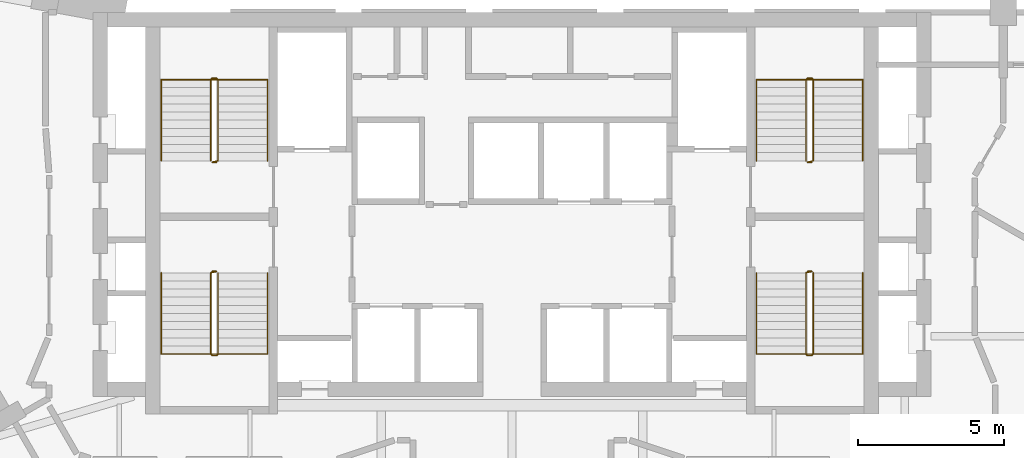
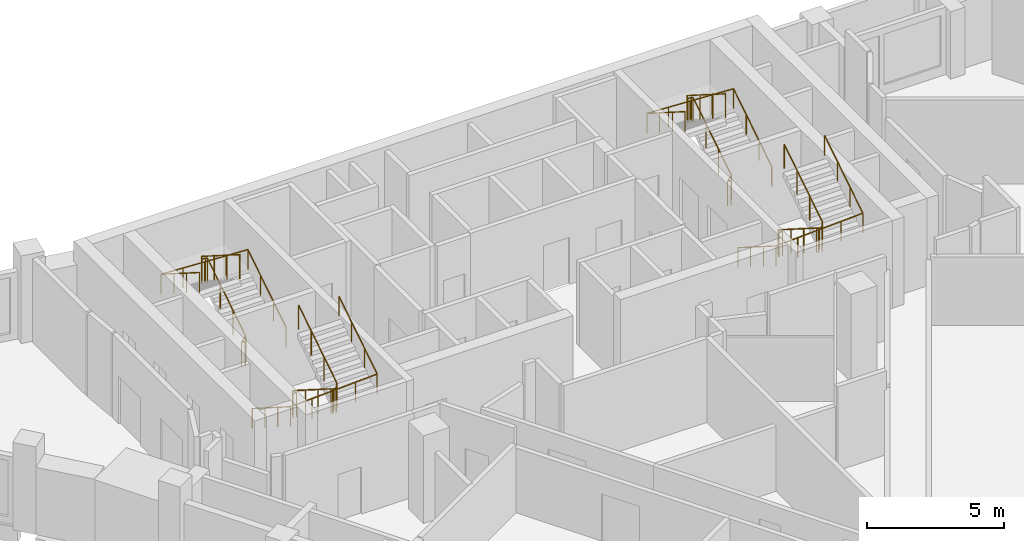
# One storey, part 9 of 9: 8 railings.
"""IFC4 building model written with IfcOpenShell, lengths in metres."""

from ifc_helpers import new_model, si_unit, direction, frame, origin, origin_2d, place, context, subcontext, project, spatial, circle, extrude, material, type_object, element, save


model = new_model("IFC4")

# Units and contexts
model_context = context("Model", 3, precision=1e-05, world=origin(), true_north=direction((0.0, 1.0)))
body_context = subcontext(model_context, "Body", "Model", "MODEL_VIEW")
ifc_project = project(units=[si_unit("LENGTHUNIT", "METRE"), si_unit("AREAUNIT", "SQUARE_METRE"), si_unit("VOLUMEUNIT", "CUBIC_METRE"), si_unit("PLANEANGLEUNIT", "RADIAN"), si_unit("MASSUNIT", "GRAM", prefix="KILO")], contexts=[model_context])

# Site, building, storey
site_placement = place(None, origin())
site = spatial("IfcSite", under=ifc_project, at=site_placement, CompositionType="ELEMENT")
building_placement = place(site_placement, origin())
building = spatial("IfcBuilding", under=site, at=building_placement, Name="Calabash Gate Tower", CompositionType="ELEMENT")
storey_placement = place(building_placement, frame((0.0, 0.0, 204.199951171875)))
storey = spatial("IfcBuildingStorey", under=building, at=storey_placement, Name="L48", CompositionType="ELEMENT", Elevation=204.199951171875)

# Railings
ifc_material_1 = material(Name="Black powder-coated steel balusters", Category="steel")
railing_type_1 = type_object("IfcRailingType", Name="Stair guard RL1100", PredefinedType="GUARDRAIL", material=ifc_material_1)
railing_1_placement = place(storey_placement, frame((-10.14990234375, 13.902587890625, 0.0)))
element("IfcRailing", 1, at=railing_1_placement, inside=storey, type_object=railing_type_1, Name="L48 ST1 stair guard 1", PredefinedType="GUARDRAIL", context=body_context, shape_type="SweptSolid", body=[
    extrude(circle(Radius=0.02392578125, at=origin_2d()), frame((0.0, 0.0, 1.076171875), z_axis=(-1.0, 0.0, 0.0), x_axis=(0.0, -1.0, 0.0)), (0.0, 0.0, 1.0), 0.150146484375),
    extrude(circle(Radius=0.02392578125, at=origin_2d()), frame((-0.150146484375, 0.0, 1.076171875), z_axis=(0.735524641326, 0.184105679453, 0.652003528208), x_axis=(-0.242814311512, 0.970072785993, 0.0)), (0.0, 0.0, 1.0), 0.271728515625),
    extrude(circle(Radius=0.02392578125, at=origin_2d()), frame((0.0498046875, 0.050048828125, 1.25341796875), z_axis=(0.0, 0.844041424197, 0.536277982245), x_axis=(-1.0, 0.0, 0.0)), (0.0, 0.0, 1.0), 3.3056640625),
    extrude(circle(Radius=0.02392578125, at=origin_2d()), frame((0.0498046875, 2.840087890625, 3.02587890625), z_axis=(-0.707106781187, 0.707106781187, 0.0), x_axis=(-0.707106781187, -0.707106781187, 0.0)), (0.0, 0.0, 1.0), 0.0703125),
    extrude(circle(Radius=0.02392578125, at=origin_2d()), frame((0.0, 2.889892578125, 3.02587890625), z_axis=(-1.0, 0.0, 0.0), x_axis=(0.0, -1.0, 0.0)), (0.0, 0.0, 1.0), 0.150146484375),
    extrude(circle(Radius=0.02392578125, at=origin_2d()), frame((-0.150146484375, 2.889892578125, 3.02587890625), z_axis=(-0.262009983441, -0.260731885961, 0.929176868105), x_axis=(0.705375805398, -0.708833529934, 0.0)), (0.0, 0.0, 1.0), 0.19091796875),
    extrude(circle(Radius=0.02392578125, at=origin_2d()), frame((-0.2001953125, 2.840087890625, 3.20361328125), z_axis=(0.0, -0.844041424197, 0.536277982245), x_axis=(1.0, 0.0, 0.0)), (0.0, 0.0, 1.0), 3.3056640625),
    extrude(circle(Radius=0.02099609375, at=origin_2d()), origin(), (0.0, 0.0, 1.0), 1.052001953125),
    extrude(circle(Radius=0.02099609375, at=origin_2d()), frame((-0.150146484375, 0.0, 0.0)), (0.0, 0.0, 1.0), 1.052001953125),
    extrude(circle(Radius=0.02099609375, at=origin_2d()), frame((0.0498046875, 0.050048828125, 0.17724609375)), (0.0, 0.0, 1.0), 1.052001953125),
    extrude(circle(Radius=0.02099609375, at=origin_2d()), frame((0.0498046875, 0.97998046875, 0.76806640625)), (0.0, 0.0, 1.0), 1.052001953125),
    extrude(circle(Radius=0.02099609375, at=origin_2d()), frame((0.0498046875, 1.91015625, 1.359130859375)), (0.0, 0.0, 1.0), 1.052001953125),
    extrude(circle(Radius=0.02099609375, at=origin_2d()), frame((0.0498046875, 2.840087890625, 1.949951171875)), (0.0, 0.0, 1.0), 1.052001953125),
    extrude(circle(Radius=0.02099609375, at=origin_2d()), frame((0.0, 2.889892578125, 1.949951171875)), (0.0, 0.0, 1.0), 1.052001953125),
    extrude(circle(Radius=0.02099609375, at=origin_2d()), frame((-0.150146484375, 2.889892578125, 1.949951171875)), (0.0, 0.0, 1.0), 1.052001953125),
    extrude(circle(Radius=0.02099609375, at=origin_2d()), frame((-0.2001953125, 2.840087890625, 2.12744140625)), (0.0, 0.0, 1.0), 1.052001953125),
    extrude(circle(Radius=0.02099609375, at=origin_2d()), frame((-0.2001953125, 1.91015625, 2.71826171875)), (0.0, 0.0, 1.0), 1.052001953125),
    extrude(circle(Radius=0.02099609375, at=origin_2d()), frame((-0.2001953125, 0.97998046875, 3.309326171875)), (0.0, 0.0, 1.0), 1.052001953125),
    extrude(circle(Radius=0.02099609375, at=origin_2d()), frame((-0.2001953125, 0.050048828125, 3.900146484375)), (0.0, 0.0, 1.0), 1.052001953125),
])
railing_2_placement = place(storey_placement, frame((-10.300048828125, 10.152587890625, 0.0)))
element("IfcRailing", 2, at=railing_2_placement, inside=storey, type_object=railing_type_1, Name="L48 ST2 stair guard 1", PredefinedType="GUARDRAIL", context=body_context, shape_type="SweptSolid", body=[
    extrude(circle(Radius=0.02392578125, at=origin_2d()), frame((0.0, 0.0, 1.076171875), z_axis=(1.0, 0.0, 0.0), x_axis=(0.0, 1.0, 0.0)), (0.0, 0.0, 1.0), 0.150146484375),
    extrude(circle(Radius=0.02392578125, at=origin_2d()), frame((0.150146484375, 0.0, 1.076171875), z_axis=(-0.735936453418, -0.183984113355, 0.651573006319), x_axis=(0.242535625036, -0.970142500145, 0.0)), (0.0, 0.0, 1.0), 0.27197265625),
    extrude(circle(Radius=0.02392578125, at=origin_2d()), frame((-0.050048828125, -0.050048828125, 1.25341796875), z_axis=(0.0, -0.844041424197, 0.536277982245), x_axis=(1.0, 0.0, 0.0)), (0.0, 0.0, 1.0), 3.3056640625),
    extrude(circle(Radius=0.02392578125, at=origin_2d()), frame((-0.050048828125, -2.840087890625, 3.02587890625), z_axis=(0.708833529934, -0.705375805398, 0.0), x_axis=(0.705375805398, 0.708833529934, 0.0)), (0.0, 0.0, 1.0), 0.070556640625),
    extrude(circle(Radius=0.02392578125, at=origin_2d()), frame((0.0, -2.889892578125, 3.02587890625), z_axis=(1.0, 0.0, 0.0), x_axis=(0.0, 1.0, 0.0)), (0.0, 0.0, 1.0), 0.150146484375),
    extrude(circle(Radius=0.02392578125, at=origin_2d()), frame((0.150146484375, -2.889892578125, 3.02587890625), z_axis=(0.26081902908, 0.26081902908, 0.92948742226), x_axis=(-0.707106781187, 0.707106781187, 0.0)), (0.0, 0.0, 1.0), 0.19091796875),
    extrude(circle(Radius=0.02392578125, at=origin_2d()), frame((0.199951171875, -2.840087890625, 3.20361328125), z_axis=(0.0, 0.844041424197, 0.536277982245), x_axis=(-1.0, 0.0, 0.0)), (0.0, 0.0, 1.0), 3.3056640625),
    extrude(circle(Radius=0.02099609375, at=origin_2d()), origin(), (0.0, 0.0, 1.0), 1.052001953125),
    extrude(circle(Radius=0.02099609375, at=origin_2d()), frame((0.150146484375, 0.0, 0.0)), (0.0, 0.0, 1.0), 1.052001953125),
    extrude(circle(Radius=0.02099609375, at=origin_2d()), frame((-0.050048828125, -0.050048828125, 0.17724609375)), (0.0, 0.0, 1.0), 1.052001953125),
    extrude(circle(Radius=0.02099609375, at=origin_2d()), frame((-0.050048828125, -0.97998046875, 0.76806640625)), (0.0, 0.0, 1.0), 1.052001953125),
    extrude(circle(Radius=0.02099609375, at=origin_2d()), frame((-0.050048828125, -1.91015625, 1.359130859375)), (0.0, 0.0, 1.0), 1.052001953125),
    extrude(circle(Radius=0.02099609375, at=origin_2d()), frame((-0.050048828125, -2.840087890625, 1.949951171875)), (0.0, 0.0, 1.0), 1.052001953125),
    extrude(circle(Radius=0.02099609375, at=origin_2d()), frame((0.0, -2.889892578125, 1.949951171875)), (0.0, 0.0, 1.0), 1.052001953125),
    extrude(circle(Radius=0.02099609375, at=origin_2d()), frame((0.150146484375, -2.889892578125, 1.949951171875)), (0.0, 0.0, 1.0), 1.052001953125),
    extrude(circle(Radius=0.02099609375, at=origin_2d()), frame((0.199951171875, -2.840087890625, 2.12744140625)), (0.0, 0.0, 1.0), 1.052001953125),
    extrude(circle(Radius=0.02099609375, at=origin_2d()), frame((0.199951171875, -1.91015625, 2.71826171875)), (0.0, 0.0, 1.0), 1.052001953125),
    extrude(circle(Radius=0.02099609375, at=origin_2d()), frame((0.199951171875, -0.97998046875, 3.309326171875)), (0.0, 0.0, 1.0), 1.052001953125),
    extrude(circle(Radius=0.02099609375, at=origin_2d()), frame((0.199951171875, -0.050048828125, 3.900146484375)), (0.0, 0.0, 1.0), 1.052001953125),
])
railing_3_placement = place(storey_placement, frame((10.300048828125, 13.902587890625, 0.0)))
element("IfcRailing", 3, at=railing_3_placement, inside=storey, type_object=railing_type_1, Name="L48 ST3 stair guard 1", PredefinedType="GUARDRAIL", context=body_context, shape_type="SweptSolid", body=[
    extrude(circle(Radius=0.02392578125, at=origin_2d()), frame((0.0, 0.0, 1.076171875), z_axis=(-1.0, 0.0, 0.0), x_axis=(0.0, -1.0, 0.0)), (0.0, 0.0, 1.0), 0.150146484375),
    extrude(circle(Radius=0.02392578125, at=origin_2d()), frame((-0.150146484375, 0.0, 1.076171875), z_axis=(0.735936453418, 0.183984113355, 0.651573006319), x_axis=(-0.242535625036, 0.970142500145, 0.0)), (0.0, 0.0, 1.0), 0.27197265625),
    extrude(circle(Radius=0.02392578125, at=origin_2d()), frame((0.050048828125, 0.050048828125, 1.25341796875), z_axis=(0.0, 0.844041424197, 0.536277982245), x_axis=(-1.0, 0.0, 0.0)), (0.0, 0.0, 1.0), 3.3056640625),
    extrude(circle(Radius=0.02392578125, at=origin_2d()), frame((0.050048828125, 2.840087890625, 3.02587890625), z_axis=(-0.708833529934, 0.705375805398, 0.0), x_axis=(-0.705375805398, -0.708833529934, 0.0)), (0.0, 0.0, 1.0), 0.070556640625),
    extrude(circle(Radius=0.02392578125, at=origin_2d()), frame((0.0, 2.889892578125, 3.02587890625), z_axis=(-1.0, 0.0, 0.0), x_axis=(0.0, -1.0, 0.0)), (0.0, 0.0, 1.0), 0.150146484375),
    extrude(circle(Radius=0.02392578125, at=origin_2d()), frame((-0.150146484375, 2.889892578125, 3.02587890625), z_axis=(-0.26081902908, -0.26081902908, 0.92948742226), x_axis=(0.707106781187, -0.707106781187, 0.0)), (0.0, 0.0, 1.0), 0.19091796875),
    extrude(circle(Radius=0.02392578125, at=origin_2d()), frame((-0.199951171875, 2.840087890625, 3.20361328125), z_axis=(0.0, -0.844041424197, 0.536277982245), x_axis=(1.0, 0.0, 0.0)), (0.0, 0.0, 1.0), 3.3056640625),
    extrude(circle(Radius=0.02099609375, at=origin_2d()), origin(), (0.0, 0.0, 1.0), 1.052001953125),
    extrude(circle(Radius=0.02099609375, at=origin_2d()), frame((-0.150146484375, 0.0, 0.0)), (0.0, 0.0, 1.0), 1.052001953125),
    extrude(circle(Radius=0.02099609375, at=origin_2d()), frame((0.050048828125, 0.050048828125, 0.17724609375)), (0.0, 0.0, 1.0), 1.052001953125),
    extrude(circle(Radius=0.02099609375, at=origin_2d()), frame((0.050048828125, 0.97998046875, 0.76806640625)), (0.0, 0.0, 1.0), 1.052001953125),
    extrude(circle(Radius=0.02099609375, at=origin_2d()), frame((0.050048828125, 1.91015625, 1.359130859375)), (0.0, 0.0, 1.0), 1.052001953125),
    extrude(circle(Radius=0.02099609375, at=origin_2d()), frame((0.050048828125, 2.840087890625, 1.949951171875)), (0.0, 0.0, 1.0), 1.052001953125),
    extrude(circle(Radius=0.02099609375, at=origin_2d()), frame((0.0, 2.889892578125, 1.949951171875)), (0.0, 0.0, 1.0), 1.052001953125),
    extrude(circle(Radius=0.02099609375, at=origin_2d()), frame((-0.150146484375, 2.889892578125, 1.949951171875)), (0.0, 0.0, 1.0), 1.052001953125),
    extrude(circle(Radius=0.02099609375, at=origin_2d()), frame((-0.199951171875, 2.840087890625, 2.12744140625)), (0.0, 0.0, 1.0), 1.052001953125),
    extrude(circle(Radius=0.02099609375, at=origin_2d()), frame((-0.199951171875, 1.91015625, 2.71826171875)), (0.0, 0.0, 1.0), 1.052001953125),
    extrude(circle(Radius=0.02099609375, at=origin_2d()), frame((-0.199951171875, 0.97998046875, 3.309326171875)), (0.0, 0.0, 1.0), 1.052001953125),
    extrude(circle(Radius=0.02099609375, at=origin_2d()), frame((-0.199951171875, 0.050048828125, 3.900146484375)), (0.0, 0.0, 1.0), 1.052001953125),
])
railing_4_placement = place(storey_placement, frame((10.14990234375, 10.152587890625, 0.0)))
element("IfcRailing", 4, at=railing_4_placement, inside=storey, type_object=railing_type_1, Name="L48 ST4 stair guard 1", PredefinedType="GUARDRAIL", context=body_context, shape_type="SweptSolid", body=[
    extrude(circle(Radius=0.02392578125, at=origin_2d()), frame((0.0, 0.0, 1.076171875), z_axis=(1.0, 0.0, 0.0), x_axis=(0.0, 1.0, 0.0)), (0.0, 0.0, 1.0), 0.150146484375),
    extrude(circle(Radius=0.02392578125, at=origin_2d()), frame((0.150146484375, 0.0, 1.076171875), z_axis=(-0.735524641326, -0.184105679453, 0.652003528208), x_axis=(0.242814311512, -0.970072785993, 0.0)), (0.0, 0.0, 1.0), 0.271728515625),
    extrude(circle(Radius=0.02392578125, at=origin_2d()), frame((-0.0498046875, -0.050048828125, 1.25341796875), z_axis=(0.0, -0.844041424197, 0.536277982245), x_axis=(1.0, 0.0, 0.0)), (0.0, 0.0, 1.0), 3.3056640625),
    extrude(circle(Radius=0.02392578125, at=origin_2d()), frame((-0.0498046875, -2.840087890625, 3.02587890625), z_axis=(0.707106781187, -0.707106781187, 0.0), x_axis=(0.707106781187, 0.707106781187, 0.0)), (0.0, 0.0, 1.0), 0.0703125),
    extrude(circle(Radius=0.02392578125, at=origin_2d()), frame((0.0, -2.889892578125, 3.02587890625), z_axis=(1.0, 0.0, 0.0), x_axis=(0.0, 1.0, 0.0)), (0.0, 0.0, 1.0), 0.150146484375),
    extrude(circle(Radius=0.02392578125, at=origin_2d()), frame((0.150146484375, -2.889892578125, 3.02587890625), z_axis=(0.262009983441, 0.260731885961, 0.929176868105), x_axis=(-0.705375805398, 0.708833529934, 0.0)), (0.0, 0.0, 1.0), 0.19091796875),
    extrude(circle(Radius=0.02392578125, at=origin_2d()), frame((0.2001953125, -2.840087890625, 3.20361328125), z_axis=(0.0, 0.844041424197, 0.536277982245), x_axis=(-1.0, 0.0, 0.0)), (0.0, 0.0, 1.0), 3.3056640625),
    extrude(circle(Radius=0.02099609375, at=origin_2d()), origin(), (0.0, 0.0, 1.0), 1.052001953125),
    extrude(circle(Radius=0.02099609375, at=origin_2d()), frame((0.150146484375, 0.0, 0.0)), (0.0, 0.0, 1.0), 1.052001953125),
    extrude(circle(Radius=0.02099609375, at=origin_2d()), frame((-0.0498046875, -0.050048828125, 0.17724609375)), (0.0, 0.0, 1.0), 1.052001953125),
    extrude(circle(Radius=0.02099609375, at=origin_2d()), frame((-0.0498046875, -0.97998046875, 0.76806640625)), (0.0, 0.0, 1.0), 1.052001953125),
    extrude(circle(Radius=0.02099609375, at=origin_2d()), frame((-0.0498046875, -1.91015625, 1.359130859375)), (0.0, 0.0, 1.0), 1.052001953125),
    extrude(circle(Radius=0.02099609375, at=origin_2d()), frame((-0.0498046875, -2.840087890625, 1.949951171875)), (0.0, 0.0, 1.0), 1.052001953125),
    extrude(circle(Radius=0.02099609375, at=origin_2d()), frame((0.0, -2.889892578125, 1.949951171875)), (0.0, 0.0, 1.0), 1.052001953125),
    extrude(circle(Radius=0.02099609375, at=origin_2d()), frame((0.150146484375, -2.889892578125, 1.949951171875)), (0.0, 0.0, 1.0), 1.052001953125),
    extrude(circle(Radius=0.02099609375, at=origin_2d()), frame((0.2001953125, -2.840087890625, 2.12744140625)), (0.0, 0.0, 1.0), 1.052001953125),
    extrude(circle(Radius=0.02099609375, at=origin_2d()), frame((0.2001953125, -1.91015625, 2.71826171875)), (0.0, 0.0, 1.0), 1.052001953125),
    extrude(circle(Radius=0.02099609375, at=origin_2d()), frame((0.2001953125, -0.97998046875, 3.309326171875)), (0.0, 0.0, 1.0), 1.052001953125),
    extrude(circle(Radius=0.02099609375, at=origin_2d()), frame((0.2001953125, -0.050048828125, 3.900146484375)), (0.0, 0.0, 1.0), 1.052001953125),
])
ifc_material_2 = material(Name="Black powder-coated steel tube 48 mm", Category="steel")
railing_type_2 = type_object("IfcRailingType", Name="Stair handrail RL900", PredefinedType="HANDRAIL", material=ifc_material_2)
railing_5_placement = place(storey_placement, frame((-8.39990234375, 13.95263671875, 0.17724609375)))
element("IfcRailing", 5, at=railing_5_placement, inside=storey, type_object=railing_type_2, Name="L48 ST1 stair handrail 1", PredefinedType="HANDRAIL", context=body_context, shape_type="SweptSolid", body=[
    extrude(circle(Radius=0.02392578125, at=origin_2d()), frame((0.0, 0.0, 0.8759765625), z_axis=(0.0, 0.844041424197, 0.536277982245), x_axis=(-1.0, 0.0, 0.0)), (0.0, 0.0, 1.0), 3.3056640625),
    extrude(circle(Radius=0.02392578125, at=origin_2d()), frame((0.0, 2.7900390625, 2.6484375), z_axis=(-0.998819872233, 0.0, 0.048568125685), x_axis=(0.0, -1.0, 0.0)), (0.0, 0.0, 1.0), 3.654541015625),
    extrude(circle(Radius=0.02392578125, at=origin_2d()), frame((-3.650146484375, 2.7900390625, 2.826171875), z_axis=(0.0, -0.844041424197, 0.536277982245), x_axis=(1.0, 0.0, 0.0)), (0.0, 0.0, 1.0), 3.3056640625),
    extrude(circle(Radius=0.02099609375, at=origin_2d()), origin(), (0.0, 0.0, 1.0), 0.851806640625),
    extrude(circle(Radius=0.02099609375, at=origin_2d()), frame((0.0, 0.929931640625, 0.5908203125)), (0.0, 0.0, 1.0), 0.851806640625),
    extrude(circle(Radius=0.02099609375, at=origin_2d()), frame((0.0, 1.860107421875, 1.181884765625)), (0.0, 0.0, 1.0), 0.851806640625),
    extrude(circle(Radius=0.02099609375, at=origin_2d()), frame((0.0, 2.7900390625, 1.772705078125)), (0.0, 0.0, 1.0), 0.851806640625),
    extrude(circle(Radius=0.02099609375, at=origin_2d()), frame((-0.91259765625, 2.7900390625, 1.817138671875)), (0.0, 0.0, 1.0), 0.851806640625),
    extrude(circle(Radius=0.02099609375, at=origin_2d()), frame((-1.8251953125, 2.7900390625, 1.861328125)), (0.0, 0.0, 1.0), 0.851806640625),
    extrude(circle(Radius=0.02099609375, at=origin_2d()), frame((-2.737548828125, 2.7900390625, 1.90576171875)), (0.0, 0.0, 1.0), 0.851806640625),
    extrude(circle(Radius=0.02099609375, at=origin_2d()), frame((-3.650146484375, 2.7900390625, 1.9501953125)), (0.0, 0.0, 1.0), 0.851806640625),
    extrude(circle(Radius=0.02099609375, at=origin_2d()), frame((-3.650146484375, 1.860107421875, 2.541015625)), (0.0, 0.0, 1.0), 0.851806640625),
    extrude(circle(Radius=0.02099609375, at=origin_2d()), frame((-3.650146484375, 0.929931640625, 3.132080078125)), (0.0, 0.0, 1.0), 0.851806640625),
    extrude(circle(Radius=0.02099609375, at=origin_2d()), frame((-3.650146484375, 0.0, 3.722900390625)), (0.0, 0.0, 1.0), 0.851806640625),
])
railing_6_placement = place(storey_placement, frame((-12.050048828125, 10.1025390625, 0.17724609375)))
element("IfcRailing", 6, at=railing_6_placement, inside=storey, type_object=railing_type_2, Name="L48 ST2 stair handrail 1", PredefinedType="HANDRAIL", context=body_context, shape_type="SweptSolid", body=[
    extrude(circle(Radius=0.02392578125, at=origin_2d()), frame((0.0, 0.0, 0.8759765625), z_axis=(0.0, -0.844041424197, 0.536277982245), x_axis=(1.0, 0.0, 0.0)), (0.0, 0.0, 1.0), 3.3056640625),
    extrude(circle(Radius=0.02392578125, at=origin_2d()), frame((0.0, -2.7900390625, 2.6484375), z_axis=(0.998819872233, 0.0, 0.048568125685), x_axis=(0.0, 1.0, 0.0)), (0.0, 0.0, 1.0), 3.654541015625),
    extrude(circle(Radius=0.02392578125, at=origin_2d()), frame((3.650146484375, -2.7900390625, 2.826171875), z_axis=(0.0, 0.844041424197, 0.536277982245), x_axis=(-1.0, 0.0, 0.0)), (0.0, 0.0, 1.0), 3.3056640625),
    extrude(circle(Radius=0.02099609375, at=origin_2d()), origin(), (0.0, 0.0, 1.0), 0.851806640625),
    extrude(circle(Radius=0.02099609375, at=origin_2d()), frame((0.0, -0.929931640625, 0.5908203125)), (0.0, 0.0, 1.0), 0.851806640625),
    extrude(circle(Radius=0.02099609375, at=origin_2d()), frame((0.0, -1.860107421875, 1.181884765625)), (0.0, 0.0, 1.0), 0.851806640625),
    extrude(circle(Radius=0.02099609375, at=origin_2d()), frame((0.0, -2.7900390625, 1.772705078125)), (0.0, 0.0, 1.0), 0.851806640625),
    extrude(circle(Radius=0.02099609375, at=origin_2d()), frame((0.91259765625, -2.7900390625, 1.817138671875)), (0.0, 0.0, 1.0), 0.851806640625),
    extrude(circle(Radius=0.02099609375, at=origin_2d()), frame((1.8251953125, -2.7900390625, 1.861328125)), (0.0, 0.0, 1.0), 0.851806640625),
    extrude(circle(Radius=0.02099609375, at=origin_2d()), frame((2.737548828125, -2.7900390625, 1.90576171875)), (0.0, 0.0, 1.0), 0.851806640625),
    extrude(circle(Radius=0.02099609375, at=origin_2d()), frame((3.650146484375, -2.7900390625, 1.9501953125)), (0.0, 0.0, 1.0), 0.851806640625),
    extrude(circle(Radius=0.02099609375, at=origin_2d()), frame((3.650146484375, -1.860107421875, 2.541015625)), (0.0, 0.0, 1.0), 0.851806640625),
    extrude(circle(Radius=0.02099609375, at=origin_2d()), frame((3.650146484375, -0.929931640625, 3.132080078125)), (0.0, 0.0, 1.0), 0.851806640625),
    extrude(circle(Radius=0.02099609375, at=origin_2d()), frame((3.650146484375, 0.0, 3.722900390625)), (0.0, 0.0, 1.0), 0.851806640625),
])
railing_7_placement = place(storey_placement, frame((12.050048828125, 13.95263671875, 0.17724609375)))
element("IfcRailing", 7, at=railing_7_placement, inside=storey, type_object=railing_type_2, Name="L48 ST3 stair handrail 1", PredefinedType="HANDRAIL", context=body_context, shape_type="SweptSolid", body=[
    extrude(circle(Radius=0.02392578125, at=origin_2d()), frame((0.0, 0.0, 0.8759765625), z_axis=(0.0, 0.844041424197, 0.536277982245), x_axis=(-1.0, 0.0, 0.0)), (0.0, 0.0, 1.0), 3.3056640625),
    extrude(circle(Radius=0.02392578125, at=origin_2d()), frame((0.0, 2.7900390625, 2.6484375), z_axis=(-0.998819872233, 0.0, 0.048568125685), x_axis=(0.0, -1.0, 0.0)), (0.0, 0.0, 1.0), 3.654541015625),
    extrude(circle(Radius=0.02392578125, at=origin_2d()), frame((-3.650146484375, 2.7900390625, 2.826171875), z_axis=(0.0, -0.844041424197, 0.536277982245), x_axis=(1.0, 0.0, 0.0)), (0.0, 0.0, 1.0), 3.3056640625),
    extrude(circle(Radius=0.02099609375, at=origin_2d()), origin(), (0.0, 0.0, 1.0), 0.851806640625),
    extrude(circle(Radius=0.02099609375, at=origin_2d()), frame((0.0, 0.929931640625, 0.5908203125)), (0.0, 0.0, 1.0), 0.851806640625),
    extrude(circle(Radius=0.02099609375, at=origin_2d()), frame((0.0, 1.860107421875, 1.181884765625)), (0.0, 0.0, 1.0), 0.851806640625),
    extrude(circle(Radius=0.02099609375, at=origin_2d()), frame((0.0, 2.7900390625, 1.772705078125)), (0.0, 0.0, 1.0), 0.851806640625),
    extrude(circle(Radius=0.02099609375, at=origin_2d()), frame((-0.91259765625, 2.7900390625, 1.817138671875)), (0.0, 0.0, 1.0), 0.851806640625),
    extrude(circle(Radius=0.02099609375, at=origin_2d()), frame((-1.8251953125, 2.7900390625, 1.861328125)), (0.0, 0.0, 1.0), 0.851806640625),
    extrude(circle(Radius=0.02099609375, at=origin_2d()), frame((-2.737548828125, 2.7900390625, 1.90576171875)), (0.0, 0.0, 1.0), 0.851806640625),
    extrude(circle(Radius=0.02099609375, at=origin_2d()), frame((-3.650146484375, 2.7900390625, 1.9501953125)), (0.0, 0.0, 1.0), 0.851806640625),
    extrude(circle(Radius=0.02099609375, at=origin_2d()), frame((-3.650146484375, 1.860107421875, 2.541015625)), (0.0, 0.0, 1.0), 0.851806640625),
    extrude(circle(Radius=0.02099609375, at=origin_2d()), frame((-3.650146484375, 0.929931640625, 3.132080078125)), (0.0, 0.0, 1.0), 0.851806640625),
    extrude(circle(Radius=0.02099609375, at=origin_2d()), frame((-3.650146484375, 0.0, 3.722900390625)), (0.0, 0.0, 1.0), 0.851806640625),
])
railing_8_placement = place(storey_placement, frame((8.39990234375, 10.1025390625, 0.17724609375)))
element("IfcRailing", 8, at=railing_8_placement, inside=storey, type_object=railing_type_2, Name="L48 ST4 stair handrail 1", PredefinedType="HANDRAIL", context=body_context, shape_type="SweptSolid", body=[
    extrude(circle(Radius=0.02392578125, at=origin_2d()), frame((0.0, 0.0, 0.8759765625), z_axis=(0.0, -0.844041424197, 0.536277982245), x_axis=(1.0, 0.0, 0.0)), (0.0, 0.0, 1.0), 3.3056640625),
    extrude(circle(Radius=0.02392578125, at=origin_2d()), frame((0.0, -2.7900390625, 2.6484375), z_axis=(0.998819872233, 0.0, 0.048568125685), x_axis=(0.0, 1.0, 0.0)), (0.0, 0.0, 1.0), 3.654541015625),
    extrude(circle(Radius=0.02392578125, at=origin_2d()), frame((3.650146484375, -2.7900390625, 2.826171875), z_axis=(0.0, 0.844041424197, 0.536277982245), x_axis=(-1.0, 0.0, 0.0)), (0.0, 0.0, 1.0), 3.3056640625),
    extrude(circle(Radius=0.02099609375, at=origin_2d()), origin(), (0.0, 0.0, 1.0), 0.851806640625),
    extrude(circle(Radius=0.02099609375, at=origin_2d()), frame((0.0, -0.929931640625, 0.5908203125)), (0.0, 0.0, 1.0), 0.851806640625),
    extrude(circle(Radius=0.02099609375, at=origin_2d()), frame((0.0, -1.860107421875, 1.181884765625)), (0.0, 0.0, 1.0), 0.851806640625),
    extrude(circle(Radius=0.02099609375, at=origin_2d()), frame((0.0, -2.7900390625, 1.772705078125)), (0.0, 0.0, 1.0), 0.851806640625),
    extrude(circle(Radius=0.02099609375, at=origin_2d()), frame((0.91259765625, -2.7900390625, 1.817138671875)), (0.0, 0.0, 1.0), 0.851806640625),
    extrude(circle(Radius=0.02099609375, at=origin_2d()), frame((1.8251953125, -2.7900390625, 1.861328125)), (0.0, 0.0, 1.0), 0.851806640625),
    extrude(circle(Radius=0.02099609375, at=origin_2d()), frame((2.737548828125, -2.7900390625, 1.90576171875)), (0.0, 0.0, 1.0), 0.851806640625),
    extrude(circle(Radius=0.02099609375, at=origin_2d()), frame((3.650146484375, -2.7900390625, 1.9501953125)), (0.0, 0.0, 1.0), 0.851806640625),
    extrude(circle(Radius=0.02099609375, at=origin_2d()), frame((3.650146484375, -1.860107421875, 2.541015625)), (0.0, 0.0, 1.0), 0.851806640625),
    extrude(circle(Radius=0.02099609375, at=origin_2d()), frame((3.650146484375, -0.929931640625, 3.132080078125)), (0.0, 0.0, 1.0), 0.851806640625),
    extrude(circle(Radius=0.02099609375, at=origin_2d()), frame((3.650146484375, 0.0, 3.722900390625)), (0.0, 0.0, 1.0), 0.851806640625),
])

save(model, "model.ifc")
